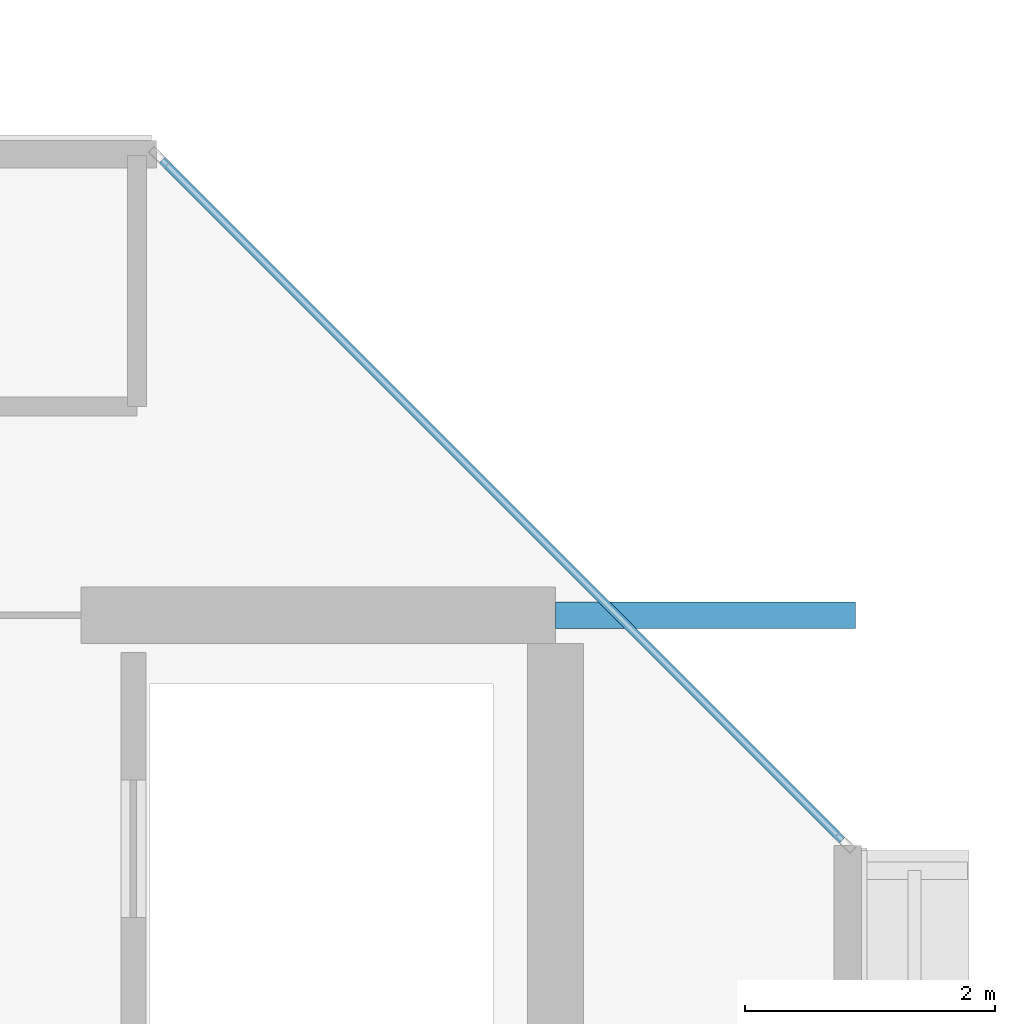
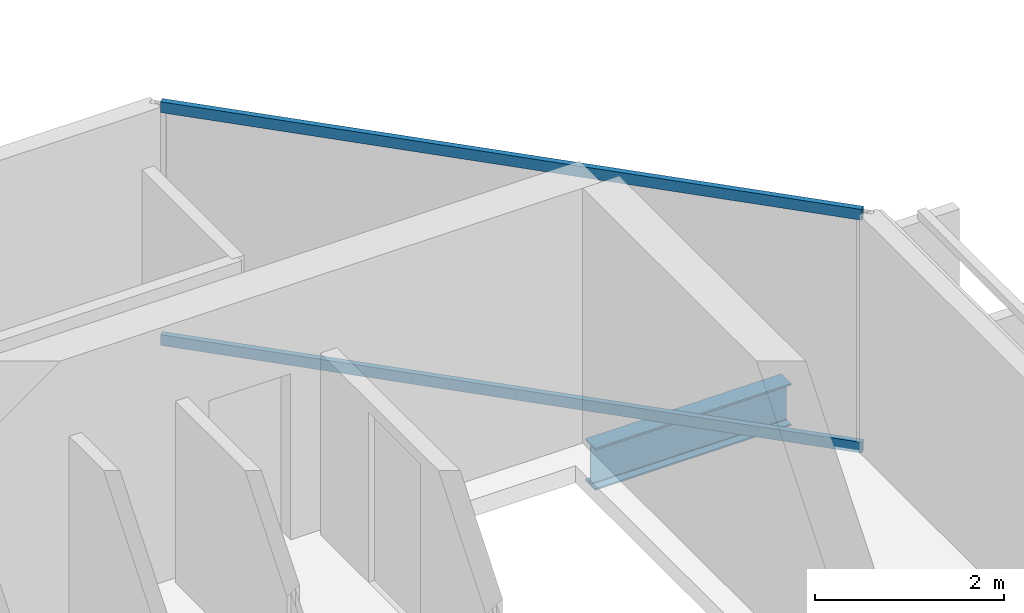
# One storey, part 6 of 29: 2 members, 1 beam, 1 element without a shape of its own.
"""IFC4 building model written with IfcOpenShell, lengths in metres."""

from ifc_helpers import new_model, si_unit, direction, frame, origin, origin_2d, place, context, subcontext, project, spatial, hollow_rectangle, i_section, extrude, material, layer, layer_set, material_profile, profile_set, type_object, element, aggregate, save


model = new_model("IFC4")

# Units and contexts
model_context = context("Model", 3, precision=1e-05, world=origin(), true_north=direction((0.0, 1.0)))
body_context = subcontext(model_context, "Body", "Model", "MODEL_VIEW")
ifc_project = project(units=[si_unit("LENGTHUNIT", "METRE"), si_unit("AREAUNIT", "SQUARE_METRE"), si_unit("VOLUMEUNIT", "CUBIC_METRE"), si_unit("PLANEANGLEUNIT", "RADIAN"), si_unit("MASSUNIT", "GRAM", prefix="KILO")], contexts=[model_context])

# Site, building, storey
site_placement = place(None, origin())
site = spatial("IfcSite", under=ifc_project, at=site_placement, CompositionType="ELEMENT")
building_placement = place(site_placement, origin())
building = spatial("IfcBuilding", under=site, at=building_placement, Name="Tanjung Sevakor Pilgrim Tower", CompositionType="ELEMENT")
storey_placement = place(building_placement, frame((0.0, 0.0, 232.64990234375)))
storey = spatial("IfcBuildingStorey", under=building, at=storey_placement, Name="L65", CompositionType="ELEMENT", Elevation=232.64990234375)

# Beam
ifc_material_1 = material(Name="Steel S355J2", Category="steel")
ifc_material_profile_1 = material_profile(ifc_material_1, i_section(OverallWidth=0.2119140625, OverallDepth=0.54443359375, WebThickness=0.0126953125, FlangeThickness=0.021240234375, FilletRadius=0.0126953125, at=origin_2d()))
ifc_profile_set_1 = profile_set([ifc_material_profile_1], Name="Steel S355J2")
beam_type = type_object("IfcBeamType", Name="BM-B-G5-UB_533x210x122", PredefinedType="BEAM", material=ifc_profile_set_1)
beam_placement = place(storey_placement, frame((36.0, 42.60009765625, -0.4921875), z_axis=(1.0, 0.0, 0.0), x_axis=(0.0, 1.0, 0.0)))
element("IfcBeam", 1, at=beam_placement, inside=storey, type_object=beam_type, Name="L65 West Peak Cantilever Girder 2", PredefinedType="BEAM", context=body_context, shape_type="SweptSolid", body=[
    extrude(i_section(OverallWidth=0.2119140625, OverallDepth=0.54443359375, WebThickness=0.0126953125, FlangeThickness=0.021240234375, FilletRadius=0.0126953125, at=origin_2d()), origin(), (0.0, 0.0, 1.0), 2.39990234375),
])

# Curtain wall, members
ifc_material_2 = material(Name="Aluminium 6063-T6 and Low-E Glass", Category="aluminium")
ifc_layer = layer(ifc_material_2, 0.179931640625)
ifc_layer_set = layer_set([ifc_layer], Name="CW-SYS-CHAM")
curtain_wall_type = type_object("IfcCurtainWallType", Name="CW-SYS-CHAM", PredefinedType="NOTDEFINED", material=ifc_layer_set)
curtain_wall_placement = place(storey_placement, origin())
curtain_wall = element("IfcCurtainWall", 2, at=curtain_wall_placement, inside=storey, type_object=curtain_wall_type, Name="L65 Curtain Wall CW-CHM-L65-WEST-3", PredefinedType="NOTDEFINED")
ifc_material_3 = material(Name="Aluminium 6063-T6", Category="aluminium")
ifc_material_profile_2 = material_profile(ifc_material_3, hollow_rectangle(XDim=0.06494140625, YDim=0.139892578125, WallThickness=0.00390625, at=origin_2d()))
ifc_profile_set_2 = profile_set([ifc_material_profile_2], Name="Aluminium 6063-T6")
member_type = type_object("IfcMemberType", Name="TYPE-CWT-1", PredefinedType="USERDEFINED", material=ifc_profile_set_2)
member_1_placement = place(storey_placement, frame((38.2939453125, 40.80029296875, 0.03271484375), z_axis=(-0.707090924819, 0.707122637198, 0.0), x_axis=(-0.707122637198, -0.707090924819, 0.0)))
member_1 = element("IfcMember", 3, at=member_1_placement, type_object=member_type, Name="CW-CHM transom 1.1", ObjectType="TRANSOM", PredefinedType="USERDEFINED", context=body_context, shape_type="SweptSolid", body=[
    extrude(hollow_rectangle(XDim=0.06494140625, YDim=0.139892578125, WallThickness=0.00390625, at=origin_2d()), origin(), (0.0, 0.0, 1.0), 7.698486328125),
])
member_2_placement = place(storey_placement, frame((38.2939453125, 40.80029296875, 3.047607421875), z_axis=(-0.707090924819, 0.707122637198, 0.0), x_axis=(-0.707122637198, -0.707090924819, 0.0)))
member_2 = element("IfcMember", 4, at=member_2_placement, type_object=member_type, Name="CW-CHM transom 1.2", ObjectType="TRANSOM", PredefinedType="USERDEFINED", context=body_context, shape_type="SweptSolid", body=[
    extrude(hollow_rectangle(XDim=0.06494140625, YDim=0.139892578125, WallThickness=0.00390625, at=origin_2d()), origin(), (0.0, 0.0, 1.0), 7.698486328125),
])
aggregate(curtain_wall, [member_1, member_2])

save(model, "model.ifc")
